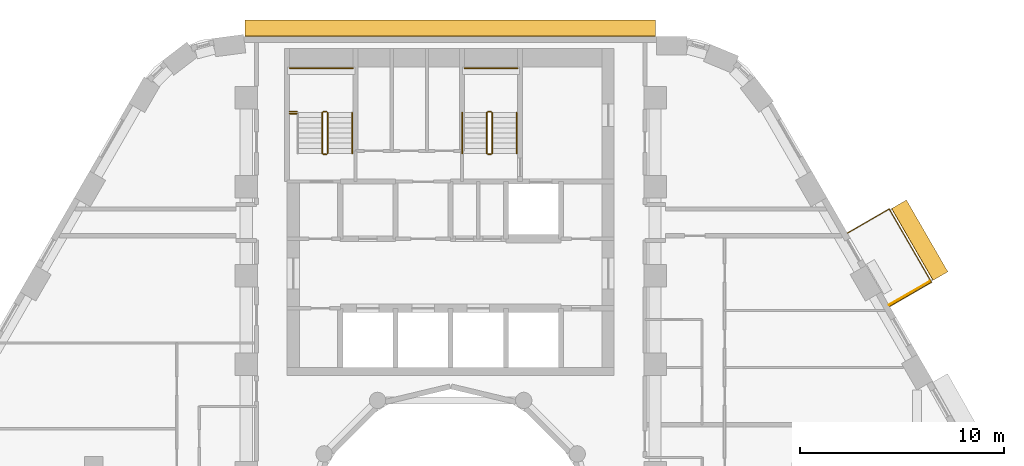
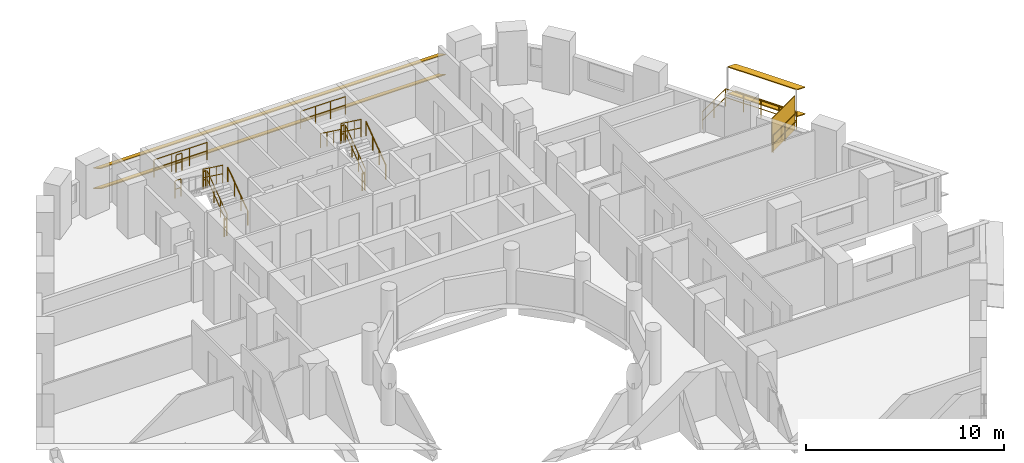
# One storey, part 13 of 13: 16 railings, 5 shading devices.
"""IFC4 building model written with IfcOpenShell, lengths in metres."""

from ifc_helpers import new_model, si_unit, direction, frame, origin, origin_2d, place, context, subcontext, project, spatial, rectangle, circle, extrude, material, layer, layer_set, material_profile, profile_set, type_object, element, save


model = new_model("IFC4")

# Units and contexts
model_context = context("Model", 3, precision=1e-05, world=origin(), true_north=direction((0.0, 1.0)))
body_context = subcontext(model_context, "Body", "Model", "MODEL_VIEW")
ifc_project = project(units=[si_unit("LENGTHUNIT", "METRE"), si_unit("AREAUNIT", "SQUARE_METRE"), si_unit("VOLUMEUNIT", "CUBIC_METRE"), si_unit("PLANEANGLEUNIT", "RADIAN"), si_unit("MASSUNIT", "GRAM", prefix="KILO")], contexts=[model_context])

# Site, building, storey
site_placement = place(None, origin())
site = spatial("IfcSite", under=ifc_project, at=site_placement, CompositionType="ELEMENT")
building_placement = place(site_placement, origin())
building = spatial("IfcBuilding", under=site, at=building_placement, Name="Nakaniwa Court", CompositionType="ELEMENT")
storey_placement = place(building_placement, frame((0.0, 0.0, 67.800048828125)))
storey = spatial("IfcBuildingStorey", under=building, at=storey_placement, Name="L18", CompositionType="ELEMENT", Elevation=67.800048828125)

# Railing
ifc_material_1 = material(Name="Black powder-coated steel flat bar balustrade S275", Category="steel")
railing_type_1 = type_object("IfcRailingType", Name="Black metal balcony guard 1100", PredefinedType="GUARDRAIL", material=ifc_material_1)
railing_1_placement = place(storey_placement, frame((101.480712890625, 90.794677734375, -0.050048828125)))
element("IfcRailing", 1, at=railing_1_placement, inside=storey, type_object=railing_type_1, Name="L18 balcony guard 01", PredefinedType="GUARDRAIL", context=body_context, shape_type="SweptSolid", body=[
    extrude(circle(Radius=0.02392578125, at=origin_2d()), frame((0.0, 0.0, 1.076171875), z_axis=(0.866025363618, 0.50000006957, 0.0), x_axis=(-0.50000006957, 0.866025363618, 0.0)), (0.0, 0.0, 1.0), 2.35986328125),
    extrude(circle(Radius=0.02392578125, at=origin_2d()), frame((0.0, 0.0, 0.550048828125), z_axis=(0.866025363618, 0.50000006957, 0.0), x_axis=(-0.50000006957, 0.866025363618, 0.0)), (0.0, 0.0, 1.0), 2.35986328125),
    extrude(circle(Radius=0.02392578125, at=origin_2d()), frame((2.043701171875, 1.179931640625, 1.076171875), z_axis=(-0.500000159503, 0.866025311695, 0.0), x_axis=(-0.866025311695, -0.500000159503, 0.0)), (0.0, 0.0, 1.0), 4.134765625),
    extrude(circle(Radius=0.02392578125, at=origin_2d()), frame((2.043701171875, 1.179931640625, 0.550048828125), z_axis=(-0.500000159503, 0.866025311695, 0.0), x_axis=(-0.866025311695, -0.500000159503, 0.0)), (0.0, 0.0, 1.0), 4.134765625),
    extrude(circle(Radius=0.02392578125, at=origin_2d()), frame((-0.023681640625, 4.7607421875, 1.076171875), z_axis=(-0.866006432019, -0.500032858622, 0.0), x_axis=(0.500032858622, -0.866006432019, 0.0)), (0.0, 0.0, 1.0), 2.360107421875),
    extrude(circle(Radius=0.02392578125, at=origin_2d()), frame((-0.023681640625, 4.7607421875, 0.550048828125), z_axis=(-0.866006432019, -0.500032858622, 0.0), x_axis=(0.500032858622, -0.866006432019, 0.0)), (0.0, 0.0, 1.0), 2.360107421875),
    extrude(circle(Radius=0.02099609375, at=origin_2d()), origin(), (0.0, 0.0, 1.0), 1.052001953125),
    extrude(circle(Radius=0.02099609375, at=origin_2d()), frame((1.02197265625, 0.58984375, 0.0)), (0.0, 0.0, 1.0), 1.052001953125),
    extrude(circle(Radius=0.02099609375, at=origin_2d()), frame((2.043701171875, 1.179931640625, 0.0)), (0.0, 0.0, 1.0), 1.052001953125),
    extrude(circle(Radius=0.02099609375, at=origin_2d()), frame((1.52685546875, 2.0751953125, 0.0)), (0.0, 0.0, 1.0), 1.052001953125),
    extrude(circle(Radius=0.02099609375, at=origin_2d()), frame((1.010009765625, 2.97021484375, 0.0)), (0.0, 0.0, 1.0), 1.052001953125),
    extrude(circle(Radius=0.02099609375, at=origin_2d()), frame((0.4931640625, 3.865478515625, 0.0)), (0.0, 0.0, 1.0), 1.052001953125),
    extrude(circle(Radius=0.02099609375, at=origin_2d()), frame((-0.023681640625, 4.7607421875, 0.0)), (0.0, 0.0, 1.0), 1.052001953125),
    extrude(circle(Radius=0.02099609375, at=origin_2d()), frame((-1.045654296875, 4.170654296875, 0.0)), (0.0, 0.0, 1.0), 1.052001953125),
    extrude(circle(Radius=0.02099609375, at=origin_2d()), frame((-2.067626953125, 3.58056640625, 0.0)), (0.0, 0.0, 1.0), 1.052001953125),
])

# Shading devices
ifc_material_2 = material(Name="Black powder-coated aluminium slat screen", Category="aluminium")
ifc_layer = layer(ifc_material_2, 0.0400390625)
ifc_layer_set = layer_set([ifc_layer], Name="Black powder-coated aluminium slat screen")
shading_device_type_1 = type_object("IfcShadingDeviceType", Name="Koshi screen black metal", PredefinedType="USERDEFINED", material=ifc_layer_set)
shading_device_placement = place(storey_placement, frame((102.44091796875, 91.44140625, -0.050048828125), z_axis=(0.0, 0.0, 1.0), x_axis=(-0.500004534492, 0.866022785779, 0.0)))
element("IfcShadingDevice", 2, at=shading_device_placement, inside=storey, type_object=shading_device_type_1, Name="L18 balcony SCREEN 01 W", ObjectType="KOSHI SCREEN", PredefinedType="USERDEFINED", context=body_context, shape_type="SweptSolid", body=[
    extrude(rectangle(XDim=0.0400390625, YDim=2.31005859375, at=origin_2d()), origin(), (0.0, 0.0, 1.0), 2.10009765625),
])
ifc_material_3 = material(Name="Perforated charcoal ceramic louvre blade")
ifc_material_profile = material_profile(ifc_material_3, rectangle(XDim=0.89990234375, YDim=0.050048828125, at=origin_2d()), Name="Perforated ceramic louvre blade")
ifc_profile_set = profile_set([ifc_material_profile], Name="Perforated charcoal ceramic louvre blade")
shading_device_type_2 = type_object("IfcShadingDeviceType", Name="Perforated ceramic louvre blade", PredefinedType="JALOUSIE", material=ifc_profile_set)
for number, where, z_axis, x_axis, name in (
    (3, (103.959228515625, 92.27197265625, 0.5), (-0.499998693927, 0.866026157845, 0.0), (-0.800103841852, -0.461938559601, 0.382683432365), "L18 perforated ceramic louvre blade 01 1"),
    (4, (103.959228515625, 92.27197265625, 2.14990234375), (-0.499998693927, 0.866026157845, 0.0), (-0.800103841852, -0.461938559601, 0.382683432365), "L18 perforated ceramic louvre blade 01 2"),
):
    element("IfcShadingDevice", number, at=place(storey_placement, frame(where, z_axis=z_axis, x_axis=x_axis)), inside=storey, type_object=shading_device_type_2, Name=name, PredefinedType="JALOUSIE", context=body_context, shape_type="SweptSolid", body=[
        extrude(rectangle(XDim=0.89990234375, YDim=0.050048828125, at=origin_2d()), origin(), (0.0, 0.0, 1.0), 4.0546875),
    ])
for number, where, z_axis, x_axis, name in (
    (5, (90.02880859375, 104.402099609375, 0.550048828125), (-1.0, 0.0, 0.0), (0.0, -0.866025403784, 0.5), "L18 perforated ceramic louvre blade w08 1"),
    (6, (90.02880859375, 104.402099609375, 1.793212890625), (-1.0, 0.0, 0.0), (0.0, -0.866025403784, 0.5), "L18 perforated ceramic louvre blade w08 2"),
):
    element("IfcShadingDevice", number, at=place(storey_placement, frame(where, z_axis=z_axis, x_axis=x_axis)), inside=storey, type_object=shading_device_type_2, Name=name, PredefinedType="JALOUSIE", context=body_context, shape_type="SweptSolid", body=[
        extrude(rectangle(XDim=0.89990234375, YDim=0.050048828125, at=origin_2d()), origin(), (0.0, 0.0, 1.0), 20.090576171875),
    ])

# Railings
ifc_material_4 = material(Name="Black powder coated steel guard", Category="steel")
railing_type_2 = type_object("IfcRailingType", Name="Stair guard 1100", PredefinedType="GUARDRAIL", material=ifc_material_4)
railing_2_placement = place(storey_placement, frame((73.97509765625, 98.27490234375, 0.183349609375)))
element("IfcRailing", 7, at=railing_2_placement, inside=storey, type_object=railing_type_2, Name="L18 ST1 stair guard 1", PredefinedType="GUARDRAIL", context=body_context, shape_type="SweptSolid", body=[
    extrude(circle(Radius=0.02392578125, at=origin_2d()), frame((0.0, 0.0, 1.076171875), z_axis=(0.0, 0.806426902644, 0.591333789573), x_axis=(-1.0, 0.0, 0.0)), (0.0, 0.0, 1.0), 2.47998046875),
    extrude(circle(Radius=0.02392578125, at=origin_2d()), frame((0.0, 0.0, 0.550048828125), z_axis=(0.0, 0.806426902644, 0.591333789573), x_axis=(-1.0, 0.0, 0.0)), (0.0, 0.0, 1.0), 2.47998046875),
    extrude(circle(Radius=0.02099609375, at=origin_2d()), origin(), (0.0, 0.0, 1.0), 1.052001953125),
    extrude(circle(Radius=0.02099609375, at=origin_2d()), frame((0.0, 0.666748046875, 0.48876953125)), (0.0, 0.0, 1.0), 1.052001953125),
    extrude(circle(Radius=0.02099609375, at=origin_2d()), frame((0.0, 1.333251953125, 0.977783203125)), (0.0, 0.0, 1.0), 1.052001953125),
    extrude(circle(Radius=0.02099609375, at=origin_2d()), frame((0.0, 2.0, 1.466552734375)), (0.0, 0.0, 1.0), 1.052001953125),
])
railing_3_placement = place(storey_placement, frame((73.925048828125, 100.324951171875, 1.64990234375)))
element("IfcRailing", 8, at=railing_3_placement, inside=storey, type_object=railing_type_2, Name="L18 ST1 stair guard 2", PredefinedType="GUARDRAIL", context=body_context, shape_type="SweptSolid", body=[
    extrude(circle(Radius=0.02392578125, at=origin_2d()), frame((0.0, 0.0, 1.076171875), z_axis=(-1.0, 0.0, 0.0), x_axis=(0.0, -1.0, 0.0)), (0.0, 0.0, 1.0), 0.150146484375),
    extrude(circle(Radius=0.02392578125, at=origin_2d()), frame((0.0, 0.0, 0.550048828125), z_axis=(-1.0, 0.0, 0.0), x_axis=(0.0, -1.0, 0.0)), (0.0, 0.0, 1.0), 0.150146484375),
    extrude(circle(Radius=0.02099609375, at=origin_2d()), origin(), (0.0, 0.0, 1.0), 1.052001953125),
    extrude(circle(Radius=0.02099609375, at=origin_2d()), frame((-0.150146484375, 0.0, 0.0)), (0.0, 0.0, 1.0), 1.052001953125),
])
railing_4_placement = place(storey_placement, frame((73.72509765625, 100.27490234375, 1.833251953125)))
element("IfcRailing", 9, at=railing_4_placement, inside=storey, type_object=railing_type_2, Name="L18 ST1 stair guard 3", PredefinedType="GUARDRAIL", context=body_context, shape_type="SweptSolid", body=[
    extrude(circle(Radius=0.02392578125, at=origin_2d()), frame((0.0, 0.0, 1.076171875), z_axis=(0.0, -0.806379959628, 0.591397802423), x_axis=(1.0, 0.0, 0.0)), (0.0, 0.0, 1.0), 2.480224609375),
    extrude(circle(Radius=0.02392578125, at=origin_2d()), frame((0.0, 0.0, 0.550048828125), z_axis=(0.0, -0.806379959628, 0.591397802423), x_axis=(1.0, 0.0, 0.0)), (0.0, 0.0, 1.0), 2.480224609375),
    extrude(circle(Radius=0.02099609375, at=origin_2d()), origin(), (0.0, 0.0, 1.0), 1.052001953125),
    extrude(circle(Radius=0.02099609375, at=origin_2d()), frame((0.0, -0.666748046875, 0.489013671875)), (0.0, 0.0, 1.0), 1.052001953125),
    extrude(circle(Radius=0.02099609375, at=origin_2d()), frame((0.0, -1.333251953125, 0.977783203125)), (0.0, 0.0, 1.0), 1.052001953125),
    extrude(circle(Radius=0.02099609375, at=origin_2d()), frame((0.0, -2.0, 1.466796875)), (0.0, 0.0, 1.0), 1.052001953125),
])
railing_5_placement = place(storey_placement, frame((73.925048828125, 98.22509765625, 0.0)))
element("IfcRailing", 10, at=railing_5_placement, inside=storey, type_object=railing_type_2, Name="L18 ST1 stair guard 4", PredefinedType="GUARDRAIL", context=body_context, shape_type="SweptSolid", body=[
    extrude(circle(Radius=0.02392578125, at=origin_2d()), frame((0.0, 0.0, 1.076171875), z_axis=(-1.0, 0.0, 0.0), x_axis=(0.0, -1.0, 0.0)), (0.0, 0.0, 1.0), 0.150146484375),
    extrude(circle(Radius=0.02392578125, at=origin_2d()), frame((0.0, 0.0, 0.550048828125), z_axis=(-1.0, 0.0, 0.0), x_axis=(0.0, -1.0, 0.0)), (0.0, 0.0, 1.0), 0.150146484375),
    extrude(circle(Radius=0.02099609375, at=origin_2d()), origin(), (0.0, 0.0, 1.0), 1.052001953125),
    extrude(circle(Radius=0.02099609375, at=origin_2d()), frame((-0.150146484375, 0.0, 0.0)), (0.0, 0.0, 1.0), 1.052001953125),
])
railing_6_placement = place(storey_placement, frame((72.125, 102.449951171875, 1.64990234375)))
element("IfcRailing", 11, at=railing_6_placement, inside=storey, type_object=railing_type_2, Name="L18 ST1 landing end guard 1", PredefinedType="GUARDRAIL", context=body_context, shape_type="SweptSolid", body=[
    extrude(circle(Radius=0.02392578125, at=origin_2d()), frame((0.0, 0.0, 1.076171875), z_axis=(1.0, 0.0, 0.0), x_axis=(0.0, 1.0, 0.0)), (0.0, 0.0, 1.0), 3.10009765625),
    extrude(circle(Radius=0.02392578125, at=origin_2d()), frame((0.0, 0.0, 0.550048828125), z_axis=(1.0, 0.0, 0.0), x_axis=(0.0, 1.0, 0.0)), (0.0, 0.0, 1.0), 3.10009765625),
    extrude(circle(Radius=0.02099609375, at=origin_2d()), origin(), (0.0, 0.0, 1.0), 1.052001953125),
    extrude(circle(Radius=0.02099609375, at=origin_2d()), frame((1.033447265625, 0.0, 0.0)), (0.0, 0.0, 1.0), 1.052001953125),
    extrude(circle(Radius=0.02099609375, at=origin_2d()), frame((2.066650390625, 0.0, 0.0)), (0.0, 0.0, 1.0), 1.052001953125),
    extrude(circle(Radius=0.02099609375, at=origin_2d()), frame((3.10009765625, 0.0, 0.0)), (0.0, 0.0, 1.0), 1.052001953125),
])
for number, where, name in (
    (12, (72.125, 100.324951171875, 1.64990234375), "L18 ST1 landing side guard 1W"),
    (13, (72.125, 100.22509765625, 3.300048828125), "L18 ST1 floor edge guard 1W"),
):
    element("IfcRailing", number, at=place(storey_placement, frame(where)), inside=storey, type_object=railing_type_2, Name=name, PredefinedType="GUARDRAIL", context=body_context, shape_type="SweptSolid", body=[
        extrude(circle(Radius=0.02392578125, at=origin_2d()), frame((0.0, 0.0, 1.076171875), z_axis=(1.0, 0.0, 0.0), x_axis=(0.0, 1.0, 0.0)), (0.0, 0.0, 1.0), 0.35009765625),
        extrude(circle(Radius=0.02392578125, at=origin_2d()), frame((0.0, 0.0, 0.550048828125), z_axis=(1.0, 0.0, 0.0), x_axis=(0.0, 1.0, 0.0)), (0.0, 0.0, 1.0), 0.35009765625),
        extrude(circle(Radius=0.02099609375, at=origin_2d()), origin(), (0.0, 0.0, 1.0), 1.052001953125),
        extrude(circle(Radius=0.02099609375, at=origin_2d()), frame((0.35009765625, 0.0, 0.0)), (0.0, 0.0, 1.0), 1.052001953125),
    ])
railing_7_placement = place(storey_placement, frame((82.02490234375, 98.27490234375, 0.183349609375)))
element("IfcRailing", 14, at=railing_7_placement, inside=storey, type_object=railing_type_2, Name="L18 ST2 stair guard 1", PredefinedType="GUARDRAIL", context=body_context, shape_type="SweptSolid", body=[
    extrude(circle(Radius=0.02392578125, at=origin_2d()), frame((0.0, 0.0, 1.076171875), z_axis=(0.0, 0.806426902644, 0.591333789573), x_axis=(-1.0, 0.0, 0.0)), (0.0, 0.0, 1.0), 2.47998046875),
    extrude(circle(Radius=0.02392578125, at=origin_2d()), frame((0.0, 0.0, 0.550048828125), z_axis=(0.0, 0.806426902644, 0.591333789573), x_axis=(-1.0, 0.0, 0.0)), (0.0, 0.0, 1.0), 2.47998046875),
    extrude(circle(Radius=0.02099609375, at=origin_2d()), origin(), (0.0, 0.0, 1.0), 1.052001953125),
    extrude(circle(Radius=0.02099609375, at=origin_2d()), frame((0.0, 0.666748046875, 0.48876953125)), (0.0, 0.0, 1.0), 1.052001953125),
    extrude(circle(Radius=0.02099609375, at=origin_2d()), frame((0.0, 1.333251953125, 0.977783203125)), (0.0, 0.0, 1.0), 1.052001953125),
    extrude(circle(Radius=0.02099609375, at=origin_2d()), frame((0.0, 2.0, 1.466552734375)), (0.0, 0.0, 1.0), 1.052001953125),
])
railing_8_placement = place(storey_placement, frame((81.97509765625, 100.324951171875, 1.64990234375)))
element("IfcRailing", 15, at=railing_8_placement, inside=storey, type_object=railing_type_2, Name="L18 ST2 stair guard 2", PredefinedType="GUARDRAIL", context=body_context, shape_type="SweptSolid", body=[
    extrude(circle(Radius=0.02392578125, at=origin_2d()), frame((0.0, 0.0, 1.076171875), z_axis=(-1.0, 0.0, 0.0), x_axis=(0.0, -1.0, 0.0)), (0.0, 0.0, 1.0), 0.150146484375),
    extrude(circle(Radius=0.02392578125, at=origin_2d()), frame((0.0, 0.0, 0.550048828125), z_axis=(-1.0, 0.0, 0.0), x_axis=(0.0, -1.0, 0.0)), (0.0, 0.0, 1.0), 0.150146484375),
    extrude(circle(Radius=0.02099609375, at=origin_2d()), origin(), (0.0, 0.0, 1.0), 1.052001953125),
    extrude(circle(Radius=0.02099609375, at=origin_2d()), frame((-0.150146484375, 0.0, 0.0)), (0.0, 0.0, 1.0), 1.052001953125),
])
railing_9_placement = place(storey_placement, frame((81.77490234375, 100.27490234375, 1.833251953125)))
element("IfcRailing", 16, at=railing_9_placement, inside=storey, type_object=railing_type_2, Name="L18 ST2 stair guard 3", PredefinedType="GUARDRAIL", context=body_context, shape_type="SweptSolid", body=[
    extrude(circle(Radius=0.02392578125, at=origin_2d()), frame((0.0, 0.0, 1.076171875), z_axis=(0.0, -0.806379959628, 0.591397802423), x_axis=(1.0, 0.0, 0.0)), (0.0, 0.0, 1.0), 2.480224609375),
    extrude(circle(Radius=0.02392578125, at=origin_2d()), frame((0.0, 0.0, 0.550048828125), z_axis=(0.0, -0.806379959628, 0.591397802423), x_axis=(1.0, 0.0, 0.0)), (0.0, 0.0, 1.0), 2.480224609375),
    extrude(circle(Radius=0.02099609375, at=origin_2d()), origin(), (0.0, 0.0, 1.0), 1.052001953125),
    extrude(circle(Radius=0.02099609375, at=origin_2d()), frame((0.0, -0.666748046875, 0.489013671875)), (0.0, 0.0, 1.0), 1.052001953125),
    extrude(circle(Radius=0.02099609375, at=origin_2d()), frame((0.0, -1.333251953125, 0.977783203125)), (0.0, 0.0, 1.0), 1.052001953125),
    extrude(circle(Radius=0.02099609375, at=origin_2d()), frame((0.0, -2.0, 1.466796875)), (0.0, 0.0, 1.0), 1.052001953125),
])
railing_10_placement = place(storey_placement, frame((81.97509765625, 98.22509765625, 0.0)))
element("IfcRailing", 17, at=railing_10_placement, inside=storey, type_object=railing_type_2, Name="L18 ST2 stair guard 4", PredefinedType="GUARDRAIL", context=body_context, shape_type="SweptSolid", body=[
    extrude(circle(Radius=0.02392578125, at=origin_2d()), frame((0.0, 0.0, 1.076171875), z_axis=(-1.0, 0.0, 0.0), x_axis=(0.0, -1.0, 0.0)), (0.0, 0.0, 1.0), 0.150146484375),
    extrude(circle(Radius=0.02392578125, at=origin_2d()), frame((0.0, 0.0, 0.550048828125), z_axis=(-1.0, 0.0, 0.0), x_axis=(0.0, -1.0, 0.0)), (0.0, 0.0, 1.0), 0.150146484375),
    extrude(circle(Radius=0.02099609375, at=origin_2d()), origin(), (0.0, 0.0, 1.0), 1.052001953125),
    extrude(circle(Radius=0.02099609375, at=origin_2d()), frame((-0.150146484375, 0.0, 0.0)), (0.0, 0.0, 1.0), 1.052001953125),
])
railing_11_placement = place(storey_placement, frame((80.675048828125, 102.449951171875, 1.64990234375)))
element("IfcRailing", 18, at=railing_11_placement, inside=storey, type_object=railing_type_2, Name="L18 ST2 landing end guard 1", PredefinedType="GUARDRAIL", context=body_context, shape_type="SweptSolid", body=[
    extrude(circle(Radius=0.02392578125, at=origin_2d()), frame((0.0, 0.0, 1.076171875), z_axis=(1.0, 0.0, 0.0), x_axis=(0.0, 1.0, 0.0)), (0.0, 0.0, 1.0), 2.599853515625),
    extrude(circle(Radius=0.02392578125, at=origin_2d()), frame((0.0, 0.0, 0.550048828125), z_axis=(1.0, 0.0, 0.0), x_axis=(0.0, 1.0, 0.0)), (0.0, 0.0, 1.0), 2.599853515625),
    extrude(circle(Radius=0.02099609375, at=origin_2d()), origin(), (0.0, 0.0, 1.0), 1.052001953125),
    extrude(circle(Radius=0.02099609375, at=origin_2d()), frame((0.86669921875, 0.0, 0.0)), (0.0, 0.0, 1.0), 1.052001953125),
    extrude(circle(Radius=0.02099609375, at=origin_2d()), frame((1.733154296875, 0.0, 0.0)), (0.0, 0.0, 1.0), 1.052001953125),
    extrude(circle(Radius=0.02099609375, at=origin_2d()), frame((2.599853515625, 0.0, 0.0)), (0.0, 0.0, 1.0), 1.052001953125),
])
ifc_material_5 = material(Name="Black powder coated steel handrail", Category="steel")
railing_type_3 = type_object("IfcRailingType", Name="Stair handrail 900", PredefinedType="HANDRAIL", material=ifc_material_5)
for number, where, name in (
    (19, (75.175048828125, 98.27490234375, 0.183349609375), "L18 ST1 stair handrail 1"),
    (20, (83.22509765625, 98.27490234375, 0.183349609375), "L18 ST2 stair handrail 1"),
):
    element("IfcRailing", number, at=place(storey_placement, frame(where)), inside=storey, type_object=railing_type_3, Name=name, PredefinedType="HANDRAIL", context=body_context, shape_type="SweptSolid", body=[
        extrude(circle(Radius=0.02392578125, at=origin_2d()), frame((0.0, 0.0, 0.8759765625), z_axis=(0.0, 0.806426902644, 0.591333789573), x_axis=(-1.0, 0.0, 0.0)), (0.0, 0.0, 1.0), 2.47998046875),
        extrude(circle(Radius=0.02099609375, at=origin_2d()), origin(), (0.0, 0.0, 1.0), 0.851806640625),
        extrude(circle(Radius=0.02099609375, at=origin_2d()), frame((0.0, 0.666748046875, 0.48876953125)), (0.0, 0.0, 1.0), 0.851806640625),
        extrude(circle(Radius=0.02099609375, at=origin_2d()), frame((0.0, 1.333251953125, 0.977783203125)), (0.0, 0.0, 1.0), 0.851806640625),
        extrude(circle(Radius=0.02099609375, at=origin_2d()), frame((0.0, 2.0, 1.466552734375)), (0.0, 0.0, 1.0), 0.851806640625),
    ])
railing_12_placement = place(storey_placement, frame((80.574951171875, 100.27490234375, 1.833251953125)))
element("IfcRailing", 21, at=railing_12_placement, inside=storey, type_object=railing_type_3, Name="L18 ST2 stair handrail 2", PredefinedType="HANDRAIL", context=body_context, shape_type="SweptSolid", body=[
    extrude(circle(Radius=0.02392578125, at=origin_2d()), frame((0.0, 0.0, 0.8759765625), z_axis=(0.0, -0.806379959628, 0.591397802423), x_axis=(1.0, 0.0, 0.0)), (0.0, 0.0, 1.0), 2.480224609375),
    extrude(circle(Radius=0.02099609375, at=origin_2d()), origin(), (0.0, 0.0, 1.0), 0.851806640625),
    extrude(circle(Radius=0.02099609375, at=origin_2d()), frame((0.0, -0.666748046875, 0.489013671875)), (0.0, 0.0, 1.0), 0.851806640625),
    extrude(circle(Radius=0.02099609375, at=origin_2d()), frame((0.0, -1.333251953125, 0.977783203125)), (0.0, 0.0, 1.0), 0.851806640625),
    extrude(circle(Radius=0.02099609375, at=origin_2d()), frame((0.0, -2.0, 1.466796875)), (0.0, 0.0, 1.0), 0.851806640625),
])

save(model, "model.ifc")
